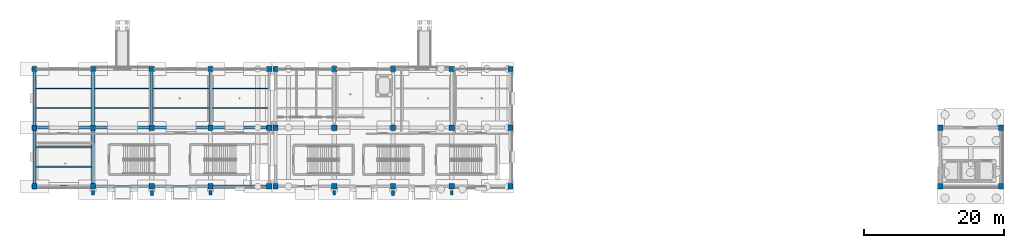
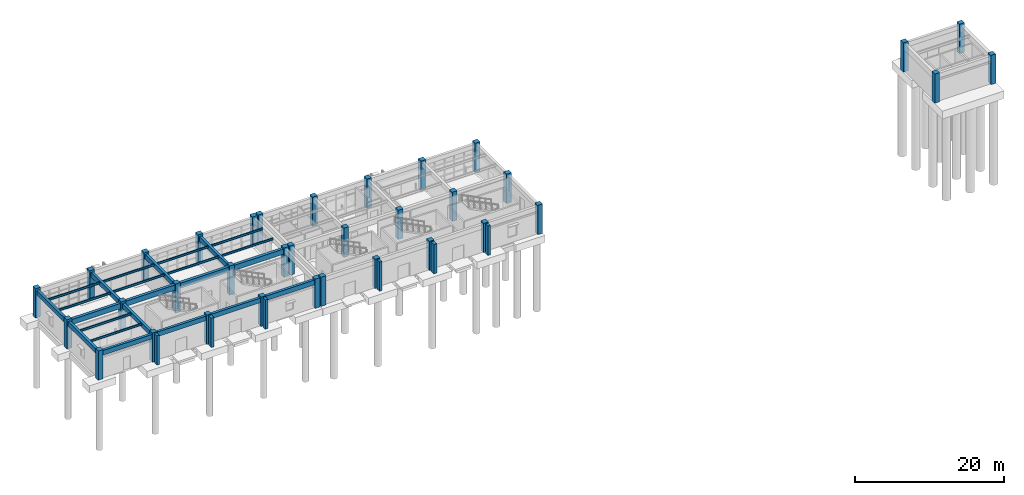
# One storey, part 3 of 29: 40 columns, 24 beams.
"""IFC4 building model written with IfcOpenShell, lengths in metres."""

from ifc_helpers import new_model, si_unit, direction, frame, origin, origin_2d, place, context, subcontext, project, spatial, rectangle, i_section, extrude, material, material_profile, profile_set, type_object, element, save


model = new_model("IFC4")

# Units and contexts
model_context = context("Model", 3, precision=1e-05, world=origin(), true_north=direction((0.0, 1.0)))
body_context = subcontext(model_context, "Body", "Model", "MODEL_VIEW")
ifc_project = project(units=[si_unit("LENGTHUNIT", "METRE"), si_unit("AREAUNIT", "SQUARE_METRE"), si_unit("VOLUMEUNIT", "CUBIC_METRE"), si_unit("PLANEANGLEUNIT", "RADIAN"), si_unit("MASSUNIT", "GRAM", prefix="KILO")], contexts=[model_context])

# Site, building, storey
site_placement = place(None, origin())
site = spatial("IfcSite", under=ifc_project, at=site_placement, CompositionType="ELEMENT")
building_placement = place(site_placement, origin())
building = spatial("IfcBuilding", under=site, at=building_placement, Name="Canglan Escarpment Cableway Terminal", CompositionType="ELEMENT")
storey_placement = place(building_placement, origin())
storey = spatial("IfcBuildingStorey", under=building, at=storey_placement, Name="L00", CompositionType="ELEMENT", Elevation=0.0)

# Columns
ifc_material_1 = material(Name="Concrete C40", Category="concrete")
ifc_material_profile_1 = material_profile(ifc_material_1, rectangle(XDim=0.75, YDim=0.75, at=origin_2d()), Name="RC 750x750")
ifc_profile_set_1 = profile_set([ifc_material_profile_1], Name="Concrete C40")
column_type_1 = type_object("IfcColumnType", Name="COL-RC750-C40", PredefinedType="COLUMN", material=ifc_profile_set_1)
for number, where, z_axis, x_axis, name in (
    (1, (8.0, 8.0, 0.0), (0.0, 0.0, 1.0), (1.0, 0.0, 0.0), "Structural column C-03"),
    (2, (8.0, 16.39990234375, 0.0), (0.0, 0.0, 1.0), (1.0, 0.0, 0.0), "Structural column C-03"),
    (3, (8.0, 24.800048828125, 0.0), (0.0, 0.0, 1.0), (1.0, 0.0, 0.0), "Structural column C-03"),
    (4, (16.39990234375, 8.0, 0.0), (0.0, 0.0, 1.0), (1.0, 0.0, 0.0), "Structural column C-03"),
    (5, (16.39990234375, 16.39990234375, 0.0), (0.0, 0.0, 1.0), (1.0, 0.0, 0.0), "Structural column C-03"),
    (6, (16.39990234375, 24.800048828125, 0.0), (0.0, 0.0, 1.0), (1.0, 0.0, 0.0), "Structural column C-03"),
    (7, (24.800048828125, 8.0, 0.0), (0.0, 0.0, 1.0), (1.0, 0.0, 0.0), "Structural column C-03"),
    (8, (24.800048828125, 16.39990234375, 0.0), (0.0, 0.0, 1.0), (1.0, 0.0, 0.0), "Structural column C-03"),
    (9, (24.800048828125, 24.800048828125, 0.0), (0.0, 0.0, 1.0), (1.0, 0.0, 0.0), "Structural column C-03"),
    (10, (33.199951171875, 8.0, 0.0), (0.0, 0.0, 1.0), (1.0, 0.0, 0.0), "Structural column C-03"),
    (11, (33.199951171875, 16.39990234375, 0.0), (0.0, 0.0, 1.0), (1.0, 0.0, 0.0), "Structural column C-03"),
    (12, (33.199951171875, 24.800048828125, 0.0), (0.0, 0.0, 1.0), (1.0, 0.0, 0.0), "Structural column C-03"),
    (13, (41.60009765625, 8.0, 0.0), (0.0, 0.0, 1.0), (1.0, 0.0, 0.0), "Structural column C-03"),
    (14, (41.60009765625, 16.39990234375, 0.0), (0.0, 0.0, 1.0), (1.0, 0.0, 0.0), "Structural column C-03"),
    (15, (41.60009765625, 24.800048828125, 0.0), (0.0, 0.0, 1.0), (1.0, 0.0, 0.0), "Structural column C-03"),
    (16, (42.5, 8.0, 0.0), (0.0, 0.0, 1.0), (1.0, 0.0, 0.0), "Structural column C-03"),
    (17, (42.5, 16.39990234375, 0.0), (0.0, 0.0, 1.0), (1.0, 0.0, 0.0), "Structural column C-03"),
    (18, (42.5, 24.800048828125, 0.0), (0.0, 0.0, 1.0), (1.0, 0.0, 0.0), "Structural column C-03"),
    (19, (50.89990234375, 8.0, 0.0), (0.0, 0.0, 1.0), (1.0, 0.0, 0.0), "Structural column C-03"),
    (20, (50.89990234375, 16.39990234375, 0.0), (0.0, 0.0, 1.0), (1.0, 0.0, 0.0), "Structural column C-03"),
    (21, (50.89990234375, 24.800048828125, 0.0), (0.0, 0.0, 1.0), (1.0, 0.0, 0.0), "Structural column C-03"),
    (22, (59.300048828125, 8.0, 0.0), (0.0, 0.0, 1.0), (1.0, 0.0, 0.0), "Structural column C-03"),
    (23, (59.300048828125, 16.39990234375, 0.0), (0.0, 0.0, 1.0), (1.0, 0.0, 0.0), "Structural column C-03"),
    (24, (59.300048828125, 24.800048828125, 0.0), (0.0, 0.0, 1.0), (1.0, 0.0, 0.0), "Structural column C-03"),
    (25, (67.699951171875, 8.0, 0.0), (0.0, 0.0, 1.0), (1.0, 0.0, 0.0), "Structural column C-03"),
    (26, (67.699951171875, 16.39990234375, 0.0), (0.0, 0.0, 1.0), (1.0, 0.0, 0.0), "Structural column C-03"),
    (27, (67.699951171875, 24.800048828125, 0.0), (0.0, 0.0, 1.0), (1.0, 0.0, 0.0), "Structural column C-03"),
    (28, (76.10009765625, 8.0, 0.0), (0.0, 0.0, 1.0), (1.0, 0.0, 0.0), "Structural column C-03"),
    (29, (76.10009765625, 16.39990234375, 0.0), (0.0, 0.0, 1.0), (1.0, 0.0, 0.0), "Structural column C-03"),
    (30, (76.10009765625, 24.800048828125, 0.0), (0.0, 0.0, 1.0), (1.0, 0.0, 0.0), "Structural column C-03"),
    (31, (137.60009765625, 8.0, 0.0), (0.0, 0.0, 1.0), (1.0, 0.0, 0.0), "Structural column C-03"),
    (32, (137.60009765625, 16.39990234375, 0.0), (0.0, 0.0, 1.0), (1.0, 0.0, 0.0), "Structural column C-03"),
    (33, (146.300048828125, 8.0, 0.0), (0.0, 0.0, 1.0), (1.0, 0.0, 0.0), "Structural column C-03"),
    (34, (146.300048828125, 16.39990234375, 0.0), (0.0, 0.0, 1.0), (1.0, 0.0, 0.0), "Structural column C-03"),
):
    element("IfcColumn", number, at=place(storey_placement, frame(where, z_axis=z_axis, x_axis=x_axis)), inside=storey, type_object=column_type_1, Name=name, PredefinedType="COLUMN", context=body_context, shape_type="SweptSolid", body=[
        extrude(rectangle(XDim=0.75, YDim=0.75, at=origin_2d()), origin(), (0.0, 0.0, 1.0), 4.800048828125),
    ])
ifc_material_profile_2 = material_profile(ifc_material_1, rectangle(XDim=0.39990234375, YDim=0.64990234375, at=origin_2d()), Name="RC-PIL 400x650")
ifc_profile_set_2 = profile_set([ifc_material_profile_2], Name="Concrete C40")
column_type_2 = type_object("IfcColumnType", Name="PIL-RC400x650", PredefinedType="PILASTER", material=ifc_profile_set_2)
for number, where, z_axis, x_axis, name in (
    (35, (16.39990234375, 7.094970703125, 0.0), (0.0, 0.0, 1.0), (1.0, 0.0, 0.0), "Neoclassical engaged pilaster PL-02"),
    (36, (33.199951171875, 7.094970703125, 0.0), (0.0, 0.0, 1.0), (1.0, 0.0, 0.0), "Neoclassical engaged pilaster PL-02"),
    (37, (50.89990234375, 7.094970703125, 0.0), (0.0, 0.0, 1.0), (1.0, 0.0, 0.0), "Neoclassical engaged pilaster PL-02"),
    (38, (67.699951171875, 7.094970703125, 0.0), (0.0, 0.0, 1.0), (1.0, 0.0, 0.0), "Neoclassical engaged pilaster PL-02"),
):
    element("IfcColumn", number, at=place(storey_placement, frame(where, z_axis=z_axis, x_axis=x_axis)), inside=storey, type_object=column_type_2, Name=name, PredefinedType="PILASTER", context=body_context, shape_type="SweptSolid", body=[
        extrude(rectangle(XDim=0.39990234375, YDim=0.64990234375, at=origin_2d()), origin(), (0.0, 0.0, 1.0), 4.800048828125),
    ])
ifc_material_profile_3 = material_profile(ifc_material_1, rectangle(XDim=0.449951171875, YDim=0.75, at=origin_2d()), Name="RC-PIL 450x750")
ifc_profile_set_3 = profile_set([ifc_material_profile_3], Name="Concrete C40")
column_type_3 = type_object("IfcColumnType", Name="PIL-RC450x750", PredefinedType="PILASTER", material=ifc_profile_set_3)
for number, where, z_axis, x_axis, name in (
    (39, (24.800048828125, 7.044921875, 0.0), (0.0, 0.0, 1.0), (1.0, 0.0, 0.0), "Neoclassical engaged pilaster PL-01"),
    (40, (59.300048828125, 7.044921875, 0.0), (0.0, 0.0, 1.0), (1.0, 0.0, 0.0), "Neoclassical engaged pilaster PL-01"),
):
    element("IfcColumn", number, at=place(storey_placement, frame(where, z_axis=z_axis, x_axis=x_axis)), inside=storey, type_object=column_type_3, Name=name, PredefinedType="PILASTER", context=body_context, shape_type="SweptSolid", body=[
        extrude(rectangle(XDim=0.449951171875, YDim=0.75, at=origin_2d()), origin(), (0.0, 0.0, 1.0), 4.800048828125),
    ])

# Beams
ifc_material_profile_4 = material_profile(ifc_material_1, rectangle(XDim=0.39990234375, YDim=0.75, at=origin_2d()), Name="RC 400x750")
ifc_profile_set_4 = profile_set([ifc_material_profile_4], Name="Concrete C40")
beam_type_1 = type_object("IfcBeamType", Name="BM-RC400x750", PredefinedType="BEAM", material=ifc_profile_set_4)
beam_1_placement = place(storey_placement, frame((8.0, 8.375, 4.10498046875), z_axis=(0.0, 1.0, 0.0), x_axis=(-1.0, 0.0, 0.0)))
element("IfcBeam", 41, at=beam_1_placement, inside=storey, type_object=beam_type_1, Name="Primary transverse girder B-03", PredefinedType="BEAM", context=body_context, shape_type="SweptSolid", body=[
    extrude(rectangle(XDim=0.39990234375, YDim=0.75, at=origin_2d()), origin(), (0.0, 0.0, 1.0), 7.64990234375),
])
beam_2_placement = place(storey_placement, frame((8.0, 16.77490234375, 4.10498046875), z_axis=(0.0, 1.0, 0.0), x_axis=(-1.0, 0.0, 0.0)))
element("IfcBeam", 42, at=beam_2_placement, inside=storey, type_object=beam_type_1, Name="Primary transverse girder B-03", PredefinedType="BEAM", context=body_context, shape_type="SweptSolid", body=[
    extrude(rectangle(XDim=0.39990234375, YDim=0.75, at=origin_2d()), origin(), (0.0, 0.0, 1.0), 7.650146484375),
])
beam_3_placement = place(storey_placement, frame((16.39990234375, 8.375, 4.10498046875), z_axis=(0.0, 1.0, 0.0), x_axis=(-1.0, 0.0, 0.0)))
element("IfcBeam", 43, at=beam_3_placement, inside=storey, type_object=beam_type_1, Name="Primary transverse girder B-03", PredefinedType="BEAM", context=body_context, shape_type="SweptSolid", body=[
    extrude(rectangle(XDim=0.39990234375, YDim=0.75, at=origin_2d()), origin(), (0.0, 0.0, 1.0), 7.64990234375),
])
for number, where, z_axis, x_axis, name in (
    (44, (16.39990234375, 16.77490234375, 4.10498046875), (0.0, 1.0, 0.0), (-1.0, 0.0, 0.0), "Primary transverse girder B-03"),
    (45, (24.800048828125, 16.77490234375, 4.10498046875), (0.0, 1.0, 0.0), (-1.0, 0.0, 0.0), "Primary transverse girder B-03"),
    (46, (33.199951171875, 16.77490234375, 4.10498046875), (0.0, 1.0, 0.0), (-1.0, 0.0, 0.0), "Primary transverse girder B-03"),
):
    element("IfcBeam", number, at=place(storey_placement, frame(where, z_axis=z_axis, x_axis=x_axis)), inside=storey, type_object=beam_type_1, Name=name, PredefinedType="BEAM", context=body_context, shape_type="SweptSolid", body=[
        extrude(rectangle(XDim=0.39990234375, YDim=0.75, at=origin_2d()), origin(), (0.0, 0.0, 1.0), 7.650146484375),
    ])
ifc_material_profile_5 = material_profile(ifc_material_1, rectangle(XDim=0.449951171875, YDim=0.85009765625, at=origin_2d()), Name="RC 450x850")
ifc_profile_set_5 = profile_set([ifc_material_profile_5], Name="Concrete C40")
beam_type_2 = type_object("IfcBeamType", Name="BM-RC450x850", PredefinedType="BEAM", material=ifc_profile_set_5)
beam_4_placement = place(storey_placement, frame((8.375, 16.39990234375, 4.054931640625), z_axis=(1.0, 0.0, 0.0), x_axis=(0.0, 1.0, 0.0)))
element("IfcBeam", 47, at=beam_4_placement, inside=storey, type_object=beam_type_2, Name="Primary structural girder B-02", PredefinedType="BEAM", context=body_context, shape_type="SweptSolid", body=[
    extrude(rectangle(XDim=0.449951171875, YDim=0.85009765625, at=origin_2d()), origin(), (0.0, 0.0, 1.0), 7.64990234375),
])
beam_5_placement = place(storey_placement, frame((16.77490234375, 16.39990234375, 4.125), z_axis=(1.0, 0.0, 0.0), x_axis=(0.0, 1.0, 0.0)))
element("IfcBeam", 48, at=beam_5_placement, inside=storey, type_object=beam_type_2, Name="Primary structural girder B-02", PredefinedType="BEAM", context=body_context, shape_type="SweptSolid", body=[
    extrude(rectangle(XDim=0.449951171875, YDim=0.85009765625, at=origin_2d()), origin(), (0.0, 0.0, 1.0), 7.650146484375),
])
beam_6_placement = place(storey_placement, frame((25.175048828125, 16.39990234375, 4.125), z_axis=(1.0, 0.0, 0.0), x_axis=(0.0, 1.0, 0.0)))
element("IfcBeam", 49, at=beam_6_placement, inside=storey, type_object=beam_type_2, Name="Primary structural girder B-02", PredefinedType="BEAM", context=body_context, shape_type="SweptSolid", body=[
    extrude(rectangle(XDim=0.449951171875, YDim=0.85009765625, at=origin_2d()), origin(), (0.0, 0.0, 1.0), 7.64990234375),
])
beam_7_placement = place(storey_placement, frame((33.574951171875, 16.39990234375, 4.125), z_axis=(1.0, 0.0, 0.0), x_axis=(0.0, 1.0, 0.0)))
element("IfcBeam", 50, at=beam_7_placement, inside=storey, type_object=beam_type_2, Name="Primary structural girder B-02", PredefinedType="BEAM", context=body_context, shape_type="SweptSolid", body=[
    extrude(rectangle(XDim=0.449951171875, YDim=0.85009765625, at=origin_2d()), origin(), (0.0, 0.0, 1.0), 7.650146484375),
])
ifc_material_2 = material(Name="Steel Q355B", Category="steel")
ifc_material_profile_6 = material_profile(ifc_material_2, i_section(OverallWidth=0.175048828125, OverallDepth=0.35009765625, WebThickness=0.007080078125, FlangeThickness=0.010986328125, FilletRadius=0.013916015625, at=origin_2d()), Name="HN 350x175x7x11")
ifc_profile_set_6 = profile_set([ifc_material_profile_6], Name="Steel Q355B")
beam_type_3 = type_object("IfcBeamType", Name="JS-HN350", PredefinedType="JOIST", material=ifc_profile_set_6)
for number, where, z_axis, x_axis, name in (
    (51, (8.199951171875, 10.800048828125, 4.304931640625), (1.0, 0.0, 0.0), (0.0, 1.0, 0.0), "Secondary composite deck joist J-04"),
    (52, (8.199951171875, 13.60009765625, 4.304931640625), (1.0, 0.0, 0.0), (0.0, 1.0, 0.0), "Secondary composite deck joist J-04"),
    (53, (8.199951171875, 19.199951171875, 4.304931640625), (1.0, 0.0, 0.0), (0.0, 1.0, 0.0), "Secondary composite deck joist J-04"),
    (54, (8.199951171875, 22.0, 4.304931640625), (1.0, 0.0, 0.0), (0.0, 1.0, 0.0), "Secondary composite deck joist J-04"),
    (55, (16.60009765625, 19.199951171875, 4.375), (1.0, 0.0, 0.0), (0.0, 1.0, 0.0), "Secondary composite deck joist J-04"),
    (56, (16.60009765625, 22.0, 4.304931640625), (1.0, 0.0, 0.0), (0.0, 1.0, 0.0), "Secondary composite deck joist J-04"),
    (57, (25.0, 19.199951171875, 4.375), (1.0, 0.0, 0.0), (0.0, 1.0, 0.0), "Secondary composite deck joist J-04"),
    (58, (25.0, 22.0, 4.304931640625), (1.0, 0.0, 0.0), (0.0, 1.0, 0.0), "Secondary composite deck joist J-04"),
    (59, (33.39990234375, 19.199951171875, 4.375), (1.0, 0.0, 0.0), (0.0, 1.0, 0.0), "Secondary composite deck joist J-04"),
    (60, (33.39990234375, 22.0, 4.304931640625), (1.0, 0.0, 0.0), (0.0, 1.0, 0.0), "Secondary composite deck joist J-04"),
):
    element("IfcBeam", number, at=place(storey_placement, frame(where, z_axis=z_axis, x_axis=x_axis)), inside=storey, type_object=beam_type_3, Name=name, PredefinedType="JOIST", context=body_context, shape_type="SweptSolid", body=[
        extrude(i_section(OverallWidth=0.175048828125, OverallDepth=0.35009765625, WebThickness=0.007080078125, FlangeThickness=0.010986328125, FilletRadius=0.013916015625, at=origin_2d()), origin(), (0.0, 0.0, 1.0), 8.0),
    ])
ifc_material_profile_7 = material_profile(ifc_material_1, rectangle(XDim=0.39990234375, YDim=0.75, at=origin_2d()), Name="RC 400x750")
ifc_profile_set_7 = profile_set([ifc_material_profile_7], Name="Concrete C40")
beam_type_4 = type_object("IfcBeamType", Name="SP-RC400x750", PredefinedType="SPANDREL", material=ifc_profile_set_7)
beam_8_placement = place(storey_placement, frame((8.375, 8.0, 4.10498046875), z_axis=(1.0, 0.0, 0.0), x_axis=(0.0, 1.0, 0.0)))
element("IfcBeam", 61, at=beam_8_placement, inside=storey, type_object=beam_type_4, Name="Primary structural girder SP-01", PredefinedType="SPANDREL", context=body_context, shape_type="SweptSolid", body=[
    extrude(rectangle(XDim=0.39990234375, YDim=0.75, at=origin_2d()), origin(), (0.0, 0.0, 1.0), 7.64990234375),
])
beam_9_placement = place(storey_placement, frame((16.77490234375, 8.0, 4.175048828125), z_axis=(1.0, 0.0, 0.0), x_axis=(0.0, 1.0, 0.0)))
element("IfcBeam", 62, at=beam_9_placement, inside=storey, type_object=beam_type_4, Name="Primary structural girder SP-01", PredefinedType="SPANDREL", context=body_context, shape_type="SweptSolid", body=[
    extrude(rectangle(XDim=0.39990234375, YDim=0.75, at=origin_2d()), origin(), (0.0, 0.0, 1.0), 7.650146484375),
])
beam_10_placement = place(storey_placement, frame((25.175048828125, 8.0, 4.175048828125), z_axis=(1.0, 0.0, 0.0), x_axis=(0.0, 1.0, 0.0)))
element("IfcBeam", 63, at=beam_10_placement, inside=storey, type_object=beam_type_4, Name="Primary structural girder SP-01", PredefinedType="SPANDREL", context=body_context, shape_type="SweptSolid", body=[
    extrude(rectangle(XDim=0.39990234375, YDim=0.75, at=origin_2d()), origin(), (0.0, 0.0, 1.0), 7.64990234375),
])
beam_11_placement = place(storey_placement, frame((33.574951171875, 8.0, 4.175048828125), z_axis=(1.0, 0.0, 0.0), x_axis=(0.0, 1.0, 0.0)))
element("IfcBeam", 64, at=beam_11_placement, inside=storey, type_object=beam_type_4, Name="Primary structural girder SP-01", PredefinedType="SPANDREL", context=body_context, shape_type="SweptSolid", body=[
    extrude(rectangle(XDim=0.39990234375, YDim=0.75, at=origin_2d()), origin(), (0.0, 0.0, 1.0), 7.650146484375),
])

save(model, "model.ifc")
